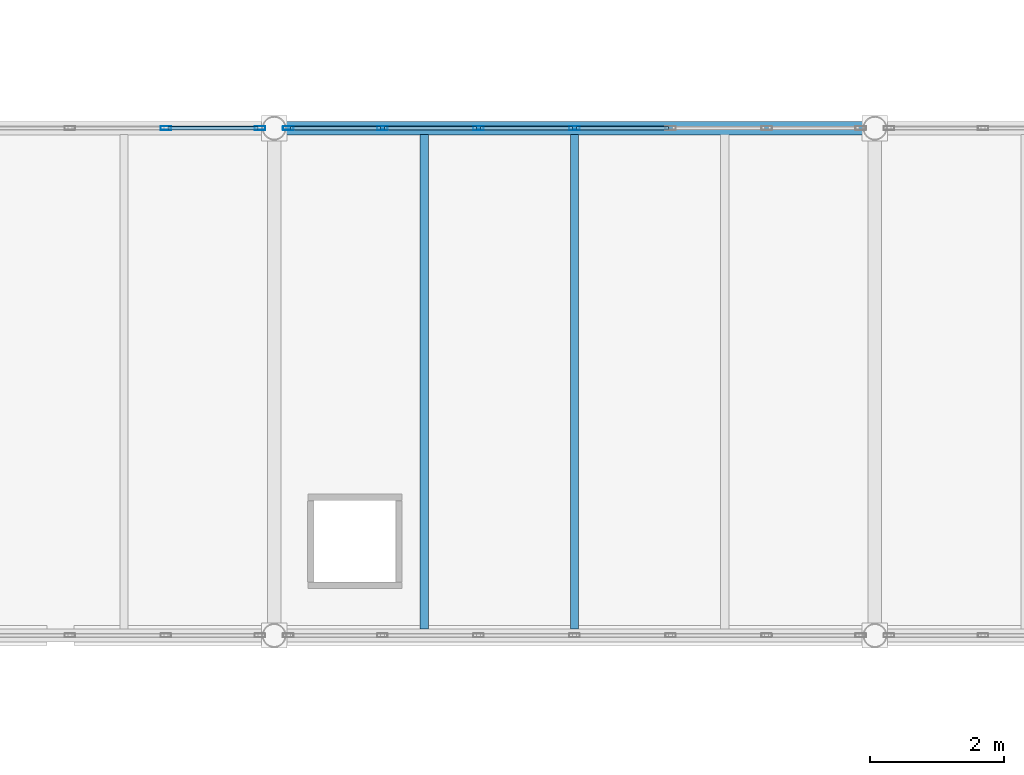
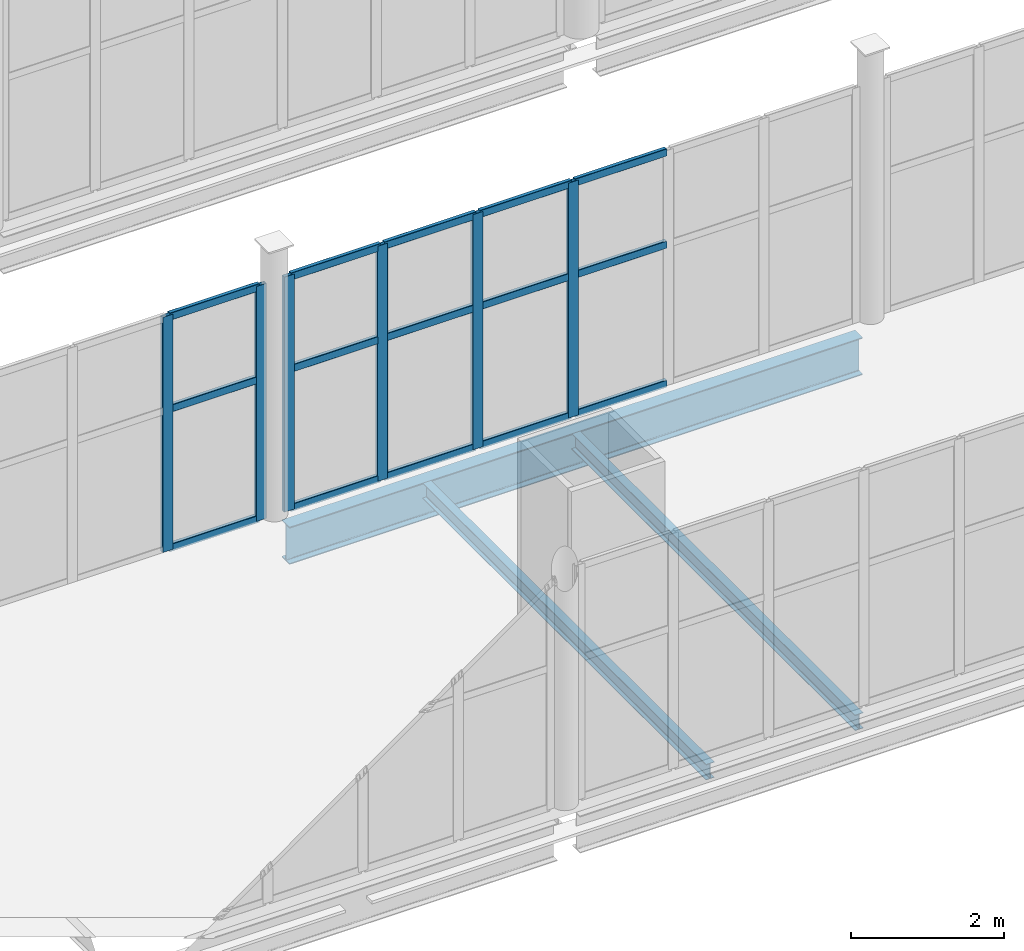
# One storey, part 61 of 172: 21 members, 3 beams, 2 elements without a shape of their own.
"""IFC4 building model written with IfcOpenShell, lengths in metres."""

from ifc_helpers import new_model, si_unit, direction, frame, origin, origin_2d, place, context, subcontext, project, spatial, hollow_rectangle, i_section, extrude, material, material_profile, profile_set, type_object, element, aggregate, save


model = new_model("IFC4")

# Units and contexts
model_context = context("Model", 3, precision=1e-05, world=origin(), true_north=direction((0.0, 1.0)))
body_context = subcontext(model_context, "Body", "Model", "MODEL_VIEW")
ifc_project = project(units=[si_unit("LENGTHUNIT", "METRE"), si_unit("AREAUNIT", "SQUARE_METRE"), si_unit("VOLUMEUNIT", "CUBIC_METRE"), si_unit("PLANEANGLEUNIT", "RADIAN"), si_unit("MASSUNIT", "GRAM", prefix="KILO")], contexts=[model_context])

# Site, building, storey
site_placement = place(None, origin())
site = spatial("IfcSite", under=ifc_project, at=site_placement, CompositionType="ELEMENT")
building_placement = place(site_placement, origin())
building = spatial("IfcBuilding", under=site, at=building_placement, Name="Shengluoqiao Park Theatre", CompositionType="ELEMENT")
storey_placement = place(building_placement, frame((0.0, 0.0, 5.39990234375)))
storey = spatial("IfcBuildingStorey", under=building, at=storey_placement, Name="L01", CompositionType="ELEMENT", Elevation=5.39990234375)

# Curtain wall, members
ifc_material_1 = material(Name="Aluminium 6063-T6", Category="aluminium")
curtain_wall_type = type_object("IfcCurtainWallType", Name="ENV-CW-BRIDGE", PredefinedType="NOTDEFINED", material=ifc_material_1)
curtain_wall_1_placement = place(storey_placement, origin())
curtain_wall_1 = element("IfcCurtainWall", 1, at=curtain_wall_1_placement, inside=storey, type_object=curtain_wall_type, Name="L01 Curtain Wall CWX-L01-0144", PredefinedType="NOTDEFINED")
ifc_material_profile_1 = material_profile(ifc_material_1, hollow_rectangle(XDim=0.06005859375, YDim=0.159912109375, WallThickness=0.00390625, InnerFilletRadius=0.00390625, OuterFilletRadius=0.008056640625, at=origin_2d()), Name="ALU MULLION 160x60x4")
ifc_profile_set_1 = profile_set([ifc_material_profile_1], Name="Aluminium 6063-T6")
member_type_1 = type_object("IfcMemberType", Name="ENV-MUL-160", PredefinedType="MULLION", material=ifc_profile_set_1)
member_1_placement = place(storey_placement, frame((119.778564453125, 60.800048828125, 0.0), z_axis=(0.0, 0.0, 1.0), x_axis=(0.0, 1.0, 0.0)))
member_1 = element("IfcMember", 2, at=member_1_placement, type_object=member_type_1, Name="CW-03 mullion 6", PredefinedType="MULLION", context=body_context, shape_type="SweptSolid", body=[
    extrude(hollow_rectangle(XDim=0.06005859375, YDim=0.159912109375, WallThickness=0.00390625, InnerFilletRadius=0.00390625, OuterFilletRadius=0.008056640625, at=origin_2d()), origin(), (0.0, 0.0, 1.0), 3.752197265625),
])
member_2_placement = place(storey_placement, frame((121.18798828125, 60.800048828125, 0.0), z_axis=(0.0, 0.0, 1.0), x_axis=(0.0, 1.0, 0.0)))
member_2 = element("IfcMember", 3, at=member_2_placement, type_object=member_type_1, Name="CW-03 mullion 7", PredefinedType="MULLION", context=body_context, shape_type="SweptSolid", body=[
    extrude(hollow_rectangle(XDim=0.06005859375, YDim=0.159912109375, WallThickness=0.00390625, InnerFilletRadius=0.00390625, OuterFilletRadius=0.008056640625, at=origin_2d()), origin(), (0.0, 0.0, 1.0), 3.752197265625),
])

curtain_wall_2_placement = place(storey_placement, origin())
curtain_wall_2 = element("IfcCurtainWall", 4, at=curtain_wall_2_placement, inside=storey, type_object=curtain_wall_type, Name="L01 Curtain Wall CWX-L01-0145", PredefinedType="NOTDEFINED")
member_3_placement = place(storey_placement, frame((121.612060546875, 60.800048828125, 0.0), z_axis=(0.0, 0.0, 1.0), x_axis=(0.0, 1.0, 0.0)))
member_3 = element("IfcMember", 5, at=member_3_placement, type_object=member_type_1, Name="CW-03 mullion 1", PredefinedType="MULLION", context=body_context, shape_type="SweptSolid", body=[
    extrude(hollow_rectangle(XDim=0.06005859375, YDim=0.159912109375, WallThickness=0.00390625, InnerFilletRadius=0.00390625, OuterFilletRadius=0.008056640625, at=origin_2d()), origin(), (0.0, 0.0, 1.0), 3.752197265625),
])
member_4_placement = place(storey_placement, frame((123.021240234375, 60.800048828125, 0.0), z_axis=(0.0, 0.0, 1.0), x_axis=(0.0, 1.0, 0.0)))
member_4 = element("IfcMember", 6, at=member_4_placement, type_object=member_type_1, Name="CW-03 mullion 2", PredefinedType="MULLION", context=body_context, shape_type="SweptSolid", body=[
    extrude(hollow_rectangle(XDim=0.06005859375, YDim=0.159912109375, WallThickness=0.00390625, InnerFilletRadius=0.00390625, OuterFilletRadius=0.008056640625, at=origin_2d()), origin(), (0.0, 0.0, 1.0), 3.752197265625),
])
member_5_placement = place(storey_placement, frame((124.460693359375, 60.800048828125, 0.0), z_axis=(0.0, 0.0, 1.0), x_axis=(0.0, 1.0, 0.0)))
member_5 = element("IfcMember", 7, at=member_5_placement, type_object=member_type_1, Name="CW-03 mullion 3", PredefinedType="MULLION", context=body_context, shape_type="SweptSolid", body=[
    extrude(hollow_rectangle(XDim=0.06005859375, YDim=0.159912109375, WallThickness=0.00390625, InnerFilletRadius=0.00390625, OuterFilletRadius=0.008056640625, at=origin_2d()), origin(), (0.0, 0.0, 1.0), 3.752197265625),
])
member_6_placement = place(storey_placement, frame((125.89990234375, 60.800048828125, 0.0), z_axis=(0.0, 0.0, 1.0), x_axis=(0.0, 1.0, 0.0)))
member_6 = element("IfcMember", 8, at=member_6_placement, type_object=member_type_1, Name="CW-03 mullion 4", PredefinedType="MULLION", context=body_context, shape_type="SweptSolid", body=[
    extrude(hollow_rectangle(XDim=0.06005859375, YDim=0.159912109375, WallThickness=0.00390625, InnerFilletRadius=0.00390625, OuterFilletRadius=0.008056640625, at=origin_2d()), origin(), (0.0, 0.0, 1.0), 3.752197265625),
])

# Member
ifc_material_profile_2 = material_profile(ifc_material_1, hollow_rectangle(XDim=0.06005859375, YDim=0.1201171875, WallThickness=0.00390625, InnerFilletRadius=0.00390625, OuterFilletRadius=0.008056640625, at=origin_2d()), Name="ALU TRANSOM 120x60x4")
ifc_profile_set_2 = profile_set([ifc_material_profile_2], Name="Aluminium 6063-T6")
member_type_2 = type_object("IfcMemberType", Name="ENV-TRN-120", PredefinedType="USERDEFINED", material=ifc_profile_set_2)
member_7_placement = place(storey_placement, frame((119.80859375, 60.800048828125, 0.030029296875), z_axis=(1.0, 0.0, 0.0), x_axis=(0.0, 1.0, 0.0)))
member_7 = element("IfcMember", 9, at=member_7_placement, type_object=member_type_2, Name="CW-03 transom 6.1", ObjectType="TRANSOM", PredefinedType="USERDEFINED", context=body_context, shape_type="SweptSolid", body=[
    extrude(hollow_rectangle(XDim=0.06005859375, YDim=0.1201171875, WallThickness=0.00390625, InnerFilletRadius=0.00390625, OuterFilletRadius=0.008056640625, at=origin_2d()), origin(), (0.0, 0.0, 1.0), 1.349365234375),
])

member_8_placement = place(storey_placement, frame((119.80859375, 60.800048828125, 2.2509765625), z_axis=(1.0, 0.0, 0.0), x_axis=(0.0, 1.0, 0.0)))
member_8 = element("IfcMember", 10, at=member_8_placement, type_object=member_type_2, Name="CW-03 transom 6.2", ObjectType="TRANSOM", PredefinedType="USERDEFINED", context=body_context, shape_type="SweptSolid", body=[
    extrude(hollow_rectangle(XDim=0.06005859375, YDim=0.1201171875, WallThickness=0.00390625, InnerFilletRadius=0.00390625, OuterFilletRadius=0.008056640625, at=origin_2d()), origin(), (0.0, 0.0, 1.0), 1.349365234375),
])

member_9_placement = place(storey_placement, frame((119.80859375, 60.800048828125, 3.72216796875), z_axis=(1.0, 0.0, 0.0), x_axis=(0.0, 1.0, 0.0)))
member_9 = element("IfcMember", 11, at=member_9_placement, type_object=member_type_2, Name="CW-03 transom 6.3", ObjectType="TRANSOM", PredefinedType="USERDEFINED", context=body_context, shape_type="SweptSolid", body=[
    extrude(hollow_rectangle(XDim=0.06005859375, YDim=0.1201171875, WallThickness=0.00390625, InnerFilletRadius=0.00390625, OuterFilletRadius=0.008056640625, at=origin_2d()), origin(), (0.0, 0.0, 1.0), 1.349365234375),
])

aggregate(curtain_wall_1, [member_1, member_2, member_7, member_8, member_9])

member_10_placement = place(storey_placement, frame((121.64208984375, 60.800048828125, 0.030029296875), z_axis=(1.0, 0.0, 0.0), x_axis=(0.0, 1.0, 0.0)))
member_10 = element("IfcMember", 12, at=member_10_placement, type_object=member_type_2, Name="CW-03 transom 1.1", ObjectType="TRANSOM", PredefinedType="USERDEFINED", context=body_context, shape_type="SweptSolid", body=[
    extrude(hollow_rectangle(XDim=0.06005859375, YDim=0.1201171875, WallThickness=0.00390625, InnerFilletRadius=0.00390625, OuterFilletRadius=0.008056640625, at=origin_2d()), origin(), (0.0, 0.0, 1.0), 1.349365234375),
])

member_11_placement = place(storey_placement, frame((121.64208984375, 60.800048828125, 2.2509765625), z_axis=(1.0, 0.0, 0.0), x_axis=(0.0, 1.0, 0.0)))
member_11 = element("IfcMember", 13, at=member_11_placement, type_object=member_type_2, Name="CW-03 transom 1.2", ObjectType="TRANSOM", PredefinedType="USERDEFINED", context=body_context, shape_type="SweptSolid", body=[
    extrude(hollow_rectangle(XDim=0.06005859375, YDim=0.1201171875, WallThickness=0.00390625, InnerFilletRadius=0.00390625, OuterFilletRadius=0.008056640625, at=origin_2d()), origin(), (0.0, 0.0, 1.0), 1.349365234375),
])

member_12_placement = place(storey_placement, frame((121.64208984375, 60.800048828125, 3.72216796875), z_axis=(1.0, 0.0, 0.0), x_axis=(0.0, 1.0, 0.0)))
member_12 = element("IfcMember", 14, at=member_12_placement, type_object=member_type_2, Name="CW-03 transom 1.3", ObjectType="TRANSOM", PredefinedType="USERDEFINED", context=body_context, shape_type="SweptSolid", body=[
    extrude(hollow_rectangle(XDim=0.06005859375, YDim=0.1201171875, WallThickness=0.00390625, InnerFilletRadius=0.00390625, OuterFilletRadius=0.008056640625, at=origin_2d()), origin(), (0.0, 0.0, 1.0), 1.349365234375),
])

member_13_placement = place(storey_placement, frame((123.05126953125, 60.800048828125, 0.030029296875), z_axis=(1.0, 0.0, 0.0), x_axis=(0.0, 1.0, 0.0)))
member_13 = element("IfcMember", 15, at=member_13_placement, type_object=member_type_2, Name="CW-03 transom 2.1", ObjectType="TRANSOM", PredefinedType="USERDEFINED", context=body_context, shape_type="SweptSolid", body=[
    extrude(hollow_rectangle(XDim=0.06005859375, YDim=0.1201171875, WallThickness=0.00390625, InnerFilletRadius=0.00390625, OuterFilletRadius=0.008056640625, at=origin_2d()), origin(), (0.0, 0.0, 1.0), 1.37939453125),
])

member_14_placement = place(storey_placement, frame((123.05126953125, 60.800048828125, 2.2509765625), z_axis=(1.0, 0.0, 0.0), x_axis=(0.0, 1.0, 0.0)))
member_14 = element("IfcMember", 16, at=member_14_placement, type_object=member_type_2, Name="CW-03 transom 2.2", ObjectType="TRANSOM", PredefinedType="USERDEFINED", context=body_context, shape_type="SweptSolid", body=[
    extrude(hollow_rectangle(XDim=0.06005859375, YDim=0.1201171875, WallThickness=0.00390625, InnerFilletRadius=0.00390625, OuterFilletRadius=0.008056640625, at=origin_2d()), origin(), (0.0, 0.0, 1.0), 1.37939453125),
])

member_15_placement = place(storey_placement, frame((123.05126953125, 60.800048828125, 3.72216796875), z_axis=(1.0, 0.0, 0.0), x_axis=(0.0, 1.0, 0.0)))
member_15 = element("IfcMember", 17, at=member_15_placement, type_object=member_type_2, Name="CW-03 transom 2.3", ObjectType="TRANSOM", PredefinedType="USERDEFINED", context=body_context, shape_type="SweptSolid", body=[
    extrude(hollow_rectangle(XDim=0.06005859375, YDim=0.1201171875, WallThickness=0.00390625, InnerFilletRadius=0.00390625, OuterFilletRadius=0.008056640625, at=origin_2d()), origin(), (0.0, 0.0, 1.0), 1.37939453125),
])

member_16_placement = place(storey_placement, frame((124.49072265625, 60.800048828125, 0.030029296875), z_axis=(1.0, 0.0, 0.0), x_axis=(0.0, 1.0, 0.0)))
member_16 = element("IfcMember", 18, at=member_16_placement, type_object=member_type_2, Name="CW-03 transom 3.1", ObjectType="TRANSOM", PredefinedType="USERDEFINED", context=body_context, shape_type="SweptSolid", body=[
    extrude(hollow_rectangle(XDim=0.06005859375, YDim=0.1201171875, WallThickness=0.00390625, InnerFilletRadius=0.00390625, OuterFilletRadius=0.008056640625, at=origin_2d()), origin(), (0.0, 0.0, 1.0), 1.37939453125),
])

member_17_placement = place(storey_placement, frame((124.49072265625, 60.800048828125, 2.2509765625), z_axis=(1.0, 0.0, 0.0), x_axis=(0.0, 1.0, 0.0)))
member_17 = element("IfcMember", 19, at=member_17_placement, type_object=member_type_2, Name="CW-03 transom 3.2", ObjectType="TRANSOM", PredefinedType="USERDEFINED", context=body_context, shape_type="SweptSolid", body=[
    extrude(hollow_rectangle(XDim=0.06005859375, YDim=0.1201171875, WallThickness=0.00390625, InnerFilletRadius=0.00390625, OuterFilletRadius=0.008056640625, at=origin_2d()), origin(), (0.0, 0.0, 1.0), 1.37939453125),
])

member_18_placement = place(storey_placement, frame((124.49072265625, 60.800048828125, 3.72216796875), z_axis=(1.0, 0.0, 0.0), x_axis=(0.0, 1.0, 0.0)))
member_18 = element("IfcMember", 20, at=member_18_placement, type_object=member_type_2, Name="CW-03 transom 3.3", ObjectType="TRANSOM", PredefinedType="USERDEFINED", context=body_context, shape_type="SweptSolid", body=[
    extrude(hollow_rectangle(XDim=0.06005859375, YDim=0.1201171875, WallThickness=0.00390625, InnerFilletRadius=0.00390625, OuterFilletRadius=0.008056640625, at=origin_2d()), origin(), (0.0, 0.0, 1.0), 1.37939453125),
])

member_19_placement = place(storey_placement, frame((125.929931640625, 60.800048828125, 0.030029296875), z_axis=(1.0, 0.0, 0.0), x_axis=(0.0, 1.0, 0.0)))
member_19 = element("IfcMember", 21, at=member_19_placement, type_object=member_type_2, Name="CW-03 transom 4.1", ObjectType="TRANSOM", PredefinedType="USERDEFINED", context=body_context, shape_type="SweptSolid", body=[
    extrude(hollow_rectangle(XDim=0.06005859375, YDim=0.1201171875, WallThickness=0.00390625, InnerFilletRadius=0.00390625, OuterFilletRadius=0.008056640625, at=origin_2d()), origin(), (0.0, 0.0, 1.0), 1.37939453125),
])

member_20_placement = place(storey_placement, frame((125.929931640625, 60.800048828125, 2.2509765625), z_axis=(1.0, 0.0, 0.0), x_axis=(0.0, 1.0, 0.0)))
member_20 = element("IfcMember", 22, at=member_20_placement, type_object=member_type_2, Name="CW-03 transom 4.2", ObjectType="TRANSOM", PredefinedType="USERDEFINED", context=body_context, shape_type="SweptSolid", body=[
    extrude(hollow_rectangle(XDim=0.06005859375, YDim=0.1201171875, WallThickness=0.00390625, InnerFilletRadius=0.00390625, OuterFilletRadius=0.008056640625, at=origin_2d()), origin(), (0.0, 0.0, 1.0), 1.37939453125),
])

member_21_placement = place(storey_placement, frame((125.929931640625, 60.800048828125, 3.72216796875), z_axis=(1.0, 0.0, 0.0), x_axis=(0.0, 1.0, 0.0)))
member_21 = element("IfcMember", 23, at=member_21_placement, type_object=member_type_2, Name="CW-03 transom 4.3", ObjectType="TRANSOM", PredefinedType="USERDEFINED", context=body_context, shape_type="SweptSolid", body=[
    extrude(hollow_rectangle(XDim=0.06005859375, YDim=0.1201171875, WallThickness=0.00390625, InnerFilletRadius=0.00390625, OuterFilletRadius=0.008056640625, at=origin_2d()), origin(), (0.0, 0.0, 1.0), 1.37939453125),
])

aggregate(curtain_wall_2, [member_3, member_4, member_5, member_6, member_10, member_11, member_12, member_13, member_14, member_15, member_16, member_17, member_18, member_19, member_20, member_21])

# Beams
ifc_material_2 = material(Name="Steel Q355", Category="steel")
ifc_material_profile_3 = material_profile(ifc_material_2, i_section(OverallWidth=0.125, OverallDepth=0.25, WebThickness=0.006103515625, FlangeThickness=0.009033203125, FilletRadius=0.010009765625, at=origin_2d()), Name="HN 250x125x6x9")
ifc_profile_set_3 = profile_set([ifc_material_profile_3], Name="Steel Q355")
beam_type_1 = type_object("IfcBeamType", Name="STR-BM-J-HN250", PredefinedType="JOIST", material=ifc_profile_set_3)
for number, where, z_axis, x_axis, name in (
    (24, (123.64990234375, 53.29443359375, -0.3349609375), (0.0, 1.0, 0.0), (-1.0, 0.0, 0.0), "L01 Composite Joist 00625"),
    (25, (125.89990234375, 53.29443359375, -0.3349609375), (0.0, 1.0, 0.0), (-1.0, 0.0, 0.0), "L01 Composite Joist 00626"),
):
    element("IfcBeam", number, at=place(storey_placement, frame(where, z_axis=z_axis, x_axis=x_axis)), inside=storey, type_object=beam_type_1, Name=name, PredefinedType="JOIST", context=body_context, shape_type="SweptSolid", body=[
        extrude(i_section(OverallWidth=0.125, OverallDepth=0.25, WebThickness=0.006103515625, FlangeThickness=0.009033203125, FilletRadius=0.010009765625, at=origin_2d()), origin(), (0.0, 0.0, 1.0), 7.4111328125),
    ])
ifc_material_profile_4 = material_profile(ifc_material_2, i_section(OverallWidth=0.198974609375, OverallDepth=0.595947265625, WebThickness=0.010009765625, FlangeThickness=0.014892578125, FilletRadius=0.02001953125, at=origin_2d()), Name="HN 596x199x10x15")
ifc_profile_set_4 = profile_set([ifc_material_profile_4], Name="Steel Q355")
beam_type_2 = type_object("IfcBeamType", Name="STR-BM-SP-HN596", PredefinedType="SPANDREL", material=ifc_profile_set_4)
beam_placement = place(storey_placement, frame((121.572021484375, 60.800048828125, -0.5078125), z_axis=(1.0, 0.0, 0.0), x_axis=(0.0, 1.0, 0.0)))
element("IfcBeam", 26, at=beam_placement, inside=storey, type_object=beam_type_2, Name="L01 Primary Girder 00583", PredefinedType="SPANDREL", context=body_context, shape_type="SweptSolid", body=[
    extrude(i_section(OverallWidth=0.198974609375, OverallDepth=0.595947265625, WebThickness=0.010009765625, FlangeThickness=0.014892578125, FilletRadius=0.02001953125, at=origin_2d()), origin(), (0.0, 0.0, 1.0), 8.656005859375),
])

save(model, "model.ifc")
